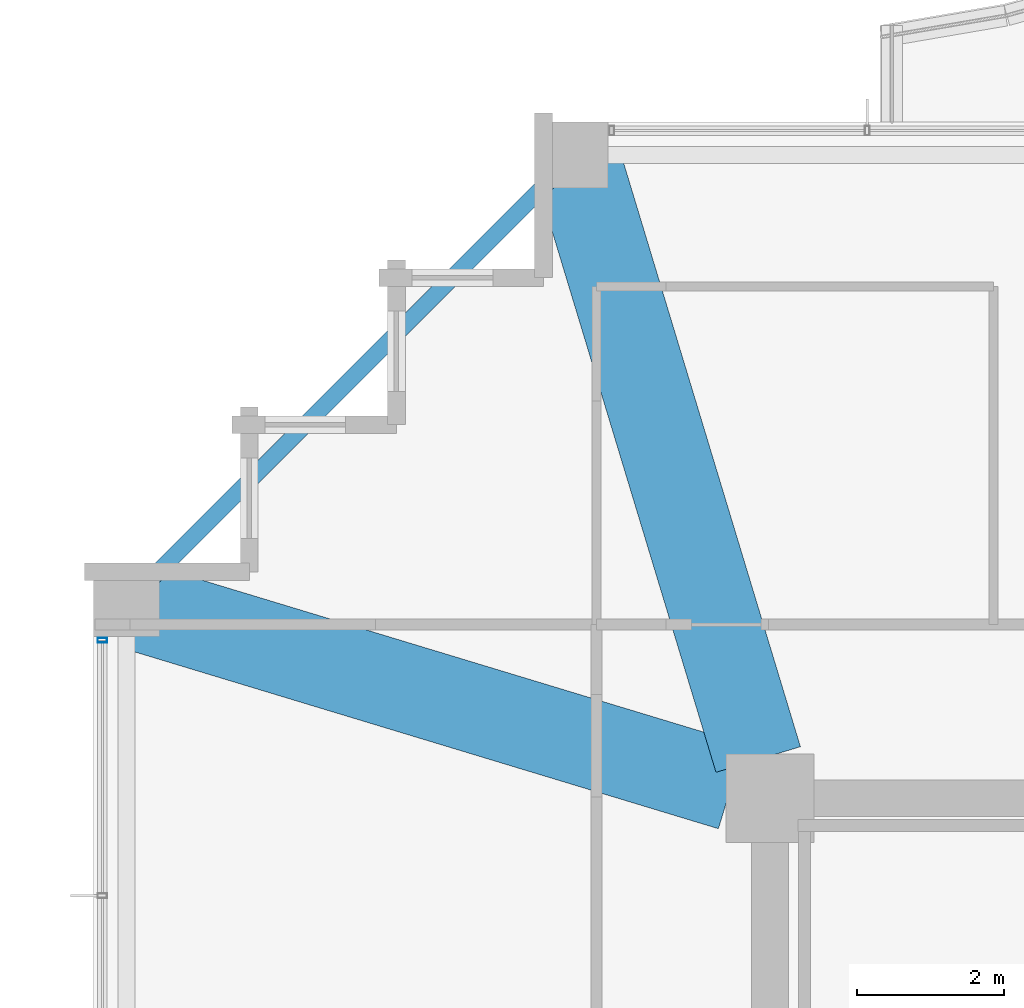
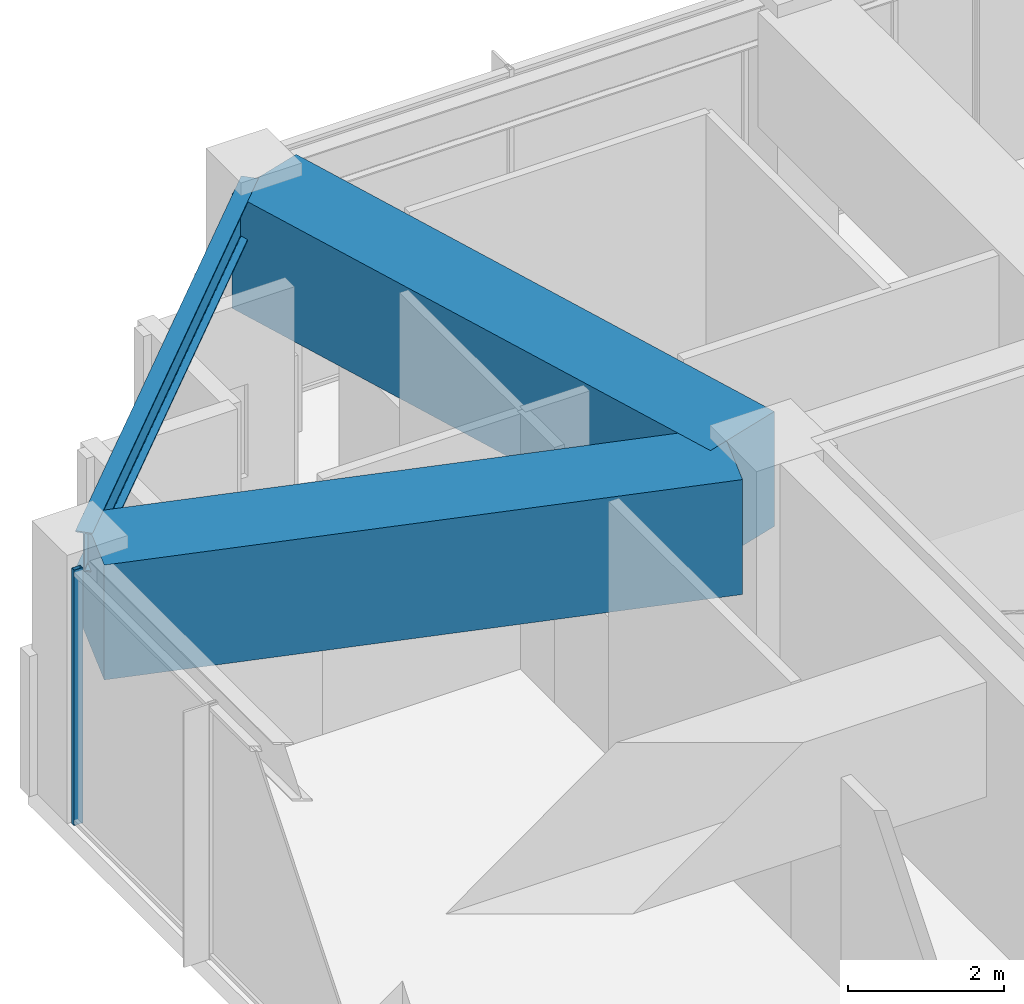
# One storey, part 15 of 33: 3 beams, 1 member, 1 element without a shape of its own.
"""IFC4 building model written with IfcOpenShell, lengths in metres."""

import ifcopenshell
import ifcopenshell.guid

model = None  # the IFC model being written
_history = None  # IfcOwnerHistory: only IFC2X3 demands one
_inside = {}  # id of a spatial element -> (the spatial element, [elements in it])
_under = {}  # id of a project, library or spatial element -> (it, [spatial elements below it])
_declared = {}  # id of a project -> (the project, [libraries it declares])
_typed = {}  # id of a type object -> (the type object, [elements of that type])
_made_of = {}  # id of a material, layer set ... -> (it, [elements and type objects made of it])


def new_model(schema):
    """Start an empty IFC model of exactly this schema.

    Asked for "IFC4X3", IfcOpenShell would pick the latest addendum, in which some entities
    have other attributes; the version numbers below select the first issue.
    IFC2X3 requires an IfcOwnerHistory on every rooted entity: one is made here for all.
    """
    global model, _history
    if schema == "IFC4X3":
        model = ifcopenshell.file(schema_version=(4, 3, 0, 0))
    else:
        model = ifcopenshell.file(schema=schema)
    _inside.clear()
    _under.clear()
    _declared.clear()
    _typed.clear()
    _made_of.clear()
    _history = None
    if model.schema == "IFC2X3":
        org = make("IfcOrganization", Name="unknown")
        user = make(
            "IfcPersonAndOrganization",
            ThePerson=make("IfcPerson", FamilyName="unknown"),
            TheOrganization=org,
        )
        app = make(
            "IfcApplication",
            ApplicationDeveloper=org,
            Version="unknown",
            ApplicationFullName="unknown",
            ApplicationIdentifier="unknown",
        )
        _history = make(
            "IfcOwnerHistory",
            OwningUser=user,
            OwningApplication=app,
            ChangeAction="ADDED",
            CreationDate=0,
        )
    return model


def make(cls, **values):
    """One entity of the class cls with the attributes given. An attribute that is None is left unset."""
    return model.create_entity(
        cls, **{name: value for name, value in values.items() if value is not None}
    )


def rooted(cls, **values):
    """An entity with a GlobalId (a new one), such as an element, a storey or a relation."""
    return make(cls, GlobalId=ifcopenshell.guid.new(), OwnerHistory=_history, **values)


def si_unit(unit_type, name, prefix=None):
    """IfcSIUnit, for example si_unit("LENGTHUNIT", "METRE", prefix="MILLI")."""
    return make("IfcSIUnit", UnitType=unit_type, Prefix=prefix, Name=name)


def assignment(units):
    """IfcUnitAssignment: the units of a project."""
    return None if units is None else make("IfcUnitAssignment", Units=units)


def point(xyz):
    """IfcCartesianPoint."""
    return None if xyz is None else make("IfcCartesianPoint", Coordinates=xyz)


def direction(xyz):
    """IfcDirection."""
    return None if xyz is None else make("IfcDirection", DirectionRatios=xyz)


def frame(location, z_axis=None, x_axis=None):
    """IfcAxis2Placement3D, a coordinate frame: its origin and axes. An axis left out is left unset."""
    return make(
        "IfcAxis2Placement3D",
        Location=point(location),
        Axis=direction(z_axis),
        RefDirection=direction(x_axis),
    )


def frame_2d(location, x_axis=None):
    """IfcAxis2Placement2D, a coordinate frame in the plane: its origin and x axis."""
    return make(
        "IfcAxis2Placement2D", Location=point(location), RefDirection=direction(x_axis)
    )


def origin():
    """The frame at (0, 0, 0) with its axes left unset."""
    return frame((0.0, 0.0, 0.0))


def origin_2d():
    """The frame at (0, 0) in the plane with its x axis left unset."""
    return frame_2d((0.0, 0.0))


def place(relative_to, where):
    """IfcLocalPlacement: puts the frame where relative to a parent placement (None: the world)."""
    return make(
        "IfcLocalPlacement", PlacementRelTo=relative_to, RelativePlacement=where
    )


def context(
    kind, dimensions, precision=None, world=None, true_north=None, identifier=None
):
    """IfcGeometricRepresentationContext, for example the 3D "Model" context."""
    return make(
        "IfcGeometricRepresentationContext",
        ContextIdentifier=identifier,
        ContextType=kind,
        CoordinateSpaceDimension=dimensions,
        Precision=precision,
        WorldCoordinateSystem=world,
        TrueNorth=true_north,
    )


def subcontext(parent, identifier, kind, view, scale=None):
    """IfcGeometricRepresentationSubContext, for example "Body" below "Model"."""
    return make(
        "IfcGeometricRepresentationSubContext",
        ContextIdentifier=identifier,
        ContextType=kind,
        ParentContext=parent,
        TargetScale=scale,
        TargetView=view,
    )


def project(units=None, contexts=None):
    """IfcProject with its units and contexts."""
    return rooted(
        "IfcProject",
        Name="project",
        RepresentationContexts=contexts,
        UnitsInContext=assignment(units),
    )


def spatial(cls, under=None, at=None, **own):
    """A site, building, storey or space (cls), placed at a placement, below another one or the project."""
    s = rooted(cls, ObjectPlacement=at, **own)
    if under is not None:
        _under.setdefault(under.id(), (under, []))[1].append(s)
    return s


def profile(cls, at=None, kind="AREA", **sizes):
    """A parametric profile (cls). Its sizes go by their IFC names, for example OverallWidth=200.0."""
    return make(cls, ProfileType=kind, Position=at, **sizes)


def rectangle(**sizes):
    """IfcRectangleProfileDef."""
    return profile("IfcRectangleProfileDef", **sizes)


def hollow_rectangle(**sizes):
    """IfcRectangleHollowProfileDef."""
    return profile("IfcRectangleHollowProfileDef", **sizes)


def i_section(**sizes):
    """IfcIShapeProfileDef."""
    return profile("IfcIShapeProfileDef", **sizes)


def extrude(swept, where, along, depth):
    """IfcExtrudedAreaSolid: the profile swept, set in the frame where, extruded along a direction by depth."""
    return make(
        "IfcExtrudedAreaSolid",
        SweptArea=swept,
        Position=where,
        ExtrudedDirection=direction(along),
        Depth=depth,
    )


def shape(context_of_items, identifier, shape_type, items):
    """IfcShapeRepresentation: the items that make up one representation, for example the "Body"."""
    return make(
        "IfcShapeRepresentation",
        ContextOfItems=context_of_items,
        RepresentationIdentifier=identifier,
        RepresentationType=shape_type,
        Items=items,
    )


def material(Name=None, Category=None):
    """IfcMaterial."""
    return make("IfcMaterial", Name=Name, Category=Category)


def material_profile(
    of_material, cross_section, Name=None, Category=None, Priority=None
):
    """IfcMaterialProfile: a cross section and its material."""
    return make(
        "IfcMaterialProfile",
        Name=Name,
        Material=of_material,
        Profile=cross_section,
        Priority=Priority,
        Category=Category,
    )


def profile_set(profiles, Name=None, composite=None):
    """IfcMaterialProfileSet."""
    return make(
        "IfcMaterialProfileSet",
        Name=Name,
        MaterialProfiles=profiles,
        CompositeProfile=composite,
    )


def made_of(thing, what):
    """Note that an element or type object is made of a material, layer set ...; save() writes the relation."""
    if what is not None:
        _made_of.setdefault(what.id(), (what, []))[1].append(thing)
    return thing


def type_object(cls, material=None, **own):
    """A type object (cls), such as IfcWallType, which elements share."""
    return made_of(rooted(cls, **own), material)


def element(
    cls,
    number,
    at=None,
    inside=None,
    cuts=None,
    type_object=None,
    material=None,
    context=None,
    identifier="Body",
    shape_type=None,
    held_by="IfcProductDefinitionShape",
    body=None,
    shapes=None,
    **own,
):
    """One element of the class cls, such as IfcWall. Its Tag is "e" and its number.

    at: its placement. inside: the storey or other place that contains it. cuts: it is an
    opening in that element (IfcRelVoidsElement). A single representation is given by context,
    identifier, shape_type and body (its items); several are given by shapes. held_by: the class
    of the entity that holds the representations. save() writes the other relations.
    """
    e = rooted(cls, Tag="e%d" % number, ObjectPlacement=at, **own)
    if body is not None:
        shapes = [shape(context, identifier, shape_type, body)]
    if shapes is not None:
        e.Representation = make(held_by, Representations=shapes)
    if inside is not None:
        _inside.setdefault(inside.id(), (inside, []))[1].append(e)
    if cuts is not None:
        rooted(
            "IfcRelVoidsElement", RelatingBuildingElement=cuts, RelatedOpeningElement=e
        )
    if type_object is not None:
        _typed.setdefault(type_object.id(), (type_object, []))[1].append(e)
    return made_of(e, material)


def aggregate(whole, parts):
    """IfcRelAggregates: a whole, such as a stair, and the parts it consists of."""
    return rooted("IfcRelAggregates", RelatingObject=whole, RelatedObjects=parts)


def save(model, path):
    """Write the relations noted so far, then the file.

    IfcRelAggregates (storeys below a building ...), IfcRelContainedInSpatialStructure (elements
    in a storey), IfcRelDefinesByType, IfcRelAssociatesMaterial and IfcRelDeclares: one each for
    every whole, place, type object, material and project.
    """
    for whole, parts in _under.values():
        aggregate(whole, parts)
    for where, things in _inside.values():
        rooted(
            "IfcRelContainedInSpatialStructure",
            RelatedElements=things,
            RelatingStructure=where,
        )
    for kind, things in _typed.values():
        rooted("IfcRelDefinesByType", RelatedObjects=things, RelatingType=kind)
    for what, things in _made_of.values():
        rooted("IfcRelAssociatesMaterial", RelatedObjects=things, RelatingMaterial=what)
    for by, libraries in _declared.values():
        rooted("IfcRelDeclares", RelatingContext=by, RelatedDefinitions=libraries)
    model.write(path)


model = new_model("IFC4")

# Units and contexts
model_context = context("Model", 3, precision=1e-05, world=origin(), true_north=direction((0.0, 1.0)))
body_context = subcontext(model_context, "Body", "Model", "MODEL_VIEW")
ifc_project = project(units=[si_unit("LENGTHUNIT", "METRE"), si_unit("AREAUNIT", "SQUARE_METRE"), si_unit("VOLUMEUNIT", "CUBIC_METRE"), si_unit("PLANEANGLEUNIT", "RADIAN"), si_unit("MASSUNIT", "GRAM", prefix="KILO")], contexts=[model_context])

# Site, building, storey
site_placement = place(None, origin())
site = spatial("IfcSite", under=ifc_project, at=site_placement, CompositionType="ELEMENT")
building_placement = place(site_placement, origin())
building = spatial("IfcBuilding", under=site, at=building_placement, Name="Kolvaren Belvedere", CompositionType="ELEMENT")
storey_placement = place(building_placement, frame((0.0, 0.0, 152.699951171875)))
storey = spatial("IfcBuildingStorey", under=building, at=storey_placement, Name="L44", CompositionType="ELEMENT", Elevation=152.699951171875)

# Beams
ifc_material_1 = material(Name="Structural steel ASTM A992 Grade 50", Category="steel")
ifc_material_profile_1 = material_profile(ifc_material_1, i_section(OverallWidth=0.22900390625, OverallDepth=0.612060546875, WebThickness=0.011962890625, FlangeThickness=0.01953125, FilletRadius=0.01806640625, at=origin_2d()), Name="W24X84")
ifc_profile_set_1 = profile_set([ifc_material_profile_1], Name="Structural steel ASTM A992 Grade 50")
beam_type_1 = type_object("IfcBeamType", Name="BM-SPAN-W24X84", PredefinedType="SPANDREL", material=ifc_profile_set_1)
beam_placement = place(storey_placement, frame((-12.693115234375, 18.5068359375, 3.694091796875), z_axis=(-0.707106781187, -0.707106781187, 0.0), x_axis=(0.707106781187, -0.707106781187, 0.0)))
element("IfcBeam", 1, at=beam_placement, inside=storey, type_object=beam_type_1, Name="L44 Perimeter Spandrel N1-W4", PredefinedType="SPANDREL", context=body_context, shape_type="SweptSolid", body=[
    extrude(i_section(OverallWidth=0.22900390625, OverallDepth=0.612060546875, WebThickness=0.011962890625, FlangeThickness=0.01953125, FilletRadius=0.01806640625, at=origin_2d()), origin(), (0.0, 0.0, 1.0), 8.221923828125),
])
ifc_material_2 = material(Name="Concrete C50/60", Category="concrete")
ifc_material_profile_2 = material_profile(ifc_material_2, rectangle(XDim=1.199951171875, YDim=1.800048828125, at=origin_2d()), Name="RC 1200X1800")
ifc_profile_set_2 = profile_set([ifc_material_profile_2], Name="Concrete C50/60")
beam_type_2 = type_object("IfcBeamType", Name="BM-TG-1800", PredefinedType="BEAM", material=ifc_profile_set_2)
for number, where, z_axis, x_axis, name in (
    (2, (-10.059326171875, 10.426513671875, 3.10009765625), (-0.289865629086, 0.957067352423, 0.0), (-0.957067352423, -0.289865629086, 0.0), "L44 Corner Core-to-Perimeter Girder CC4-N1"),
    (3, (-10.426513671875, 10.059326171875, 3.10009765625), (-0.957067352423, 0.289865629086, 0.0), (-0.289865629086, -0.957067352423, 0.0), "L44 Corner Core-to-Perimeter Girder CC4-W4"),
):
    element("IfcBeam", number, at=place(storey_placement, frame(where, z_axis=z_axis, x_axis=x_axis)), inside=storey, type_object=beam_type_2, Name=name, PredefinedType="BEAM", context=body_context, shape_type="SweptSolid", body=[
        extrude(rectangle(XDim=1.199951171875, YDim=1.800048828125, at=origin_2d()), origin(), (0.0, 0.0, 1.0), 8.412353515625),
    ])

# Curtain wall, member
ifc_material_3 = material(Name="Anodised pale-metal aluminium AA 6063-T6", Category="aluminium")
curtain_wall_type = type_object("IfcCurtainWallType", Name="CW-Z3-WAIST", PredefinedType="NOTDEFINED", material=ifc_material_3)
curtain_wall_placement = place(storey_placement, origin())
curtain_wall = element("IfcCurtainWall", 4, at=curtain_wall_placement, inside=storey, type_object=curtain_wall_type, Name="L44 Unitised Curtain Wall FCW-L44-W-B3", PredefinedType="NOTDEFINED")
ifc_material_4 = material(Name="Anodised pale-metal aluminium AA 6063-T6", Category="aluminium")
ifc_material_profile_3 = material_profile(ifc_material_4, hollow_rectangle(XDim=0.06494140625, YDim=0.1298828125, WallThickness=0.00390625, at=origin_2d()), Name="ALU-MUL-130X65")
ifc_profile_set_3 = profile_set([ifc_material_profile_3], Name="Anodised pale-metal aluminium AA 6063-T6")
member_type = type_object("IfcMemberType", Name="CW-MUL-130", PredefinedType="MULLION", material=ifc_profile_set_3)
member_placement = place(storey_placement, frame((-18.97998046875, 12.047607421875, 0.0), z_axis=(0.0, 0.0, 1.0), x_axis=(0.0, 1.0, 0.0)))
member = element("IfcMember", 5, at=member_placement, type_object=member_type, Name="FCW-L44-W-B3 Unitised Mullion 3", PredefinedType="MULLION", context=body_context, shape_type="SweptSolid", body=[
    extrude(hollow_rectangle(XDim=0.06494140625, YDim=0.1298828125, WallThickness=0.00390625, at=origin_2d()), origin(), (0.0, 0.0, 1.0), 4.0),
])
aggregate(curtain_wall, [member])

save(model, "model.ifc")
